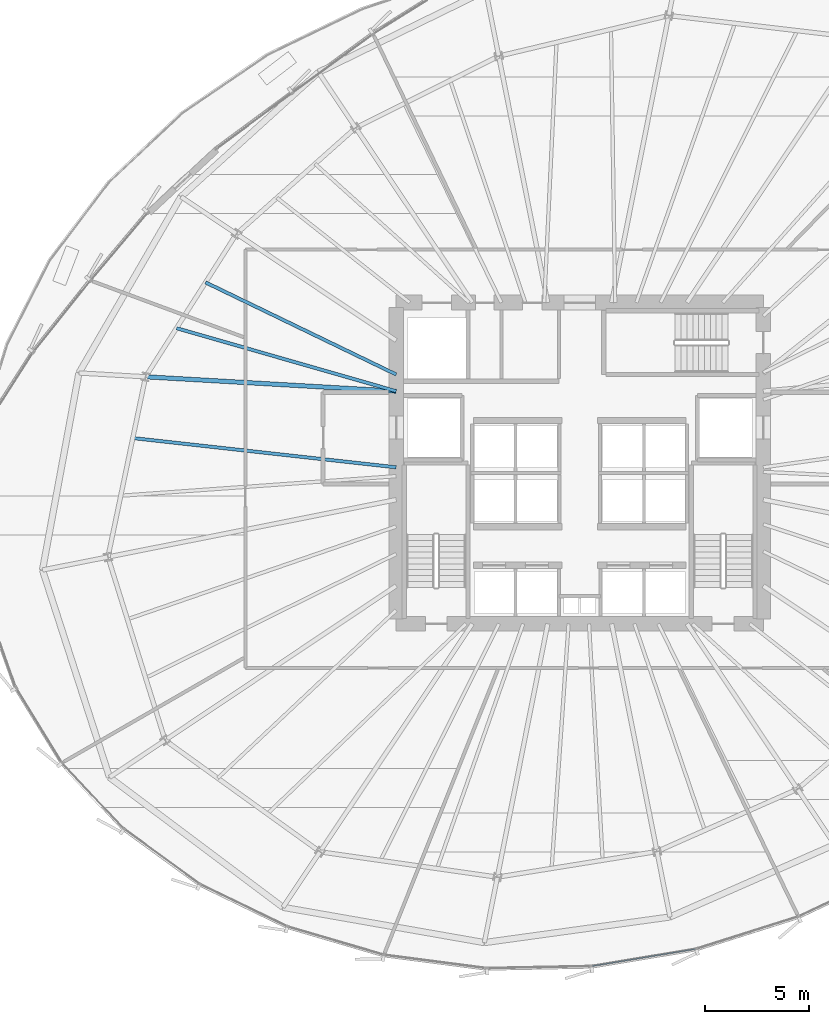
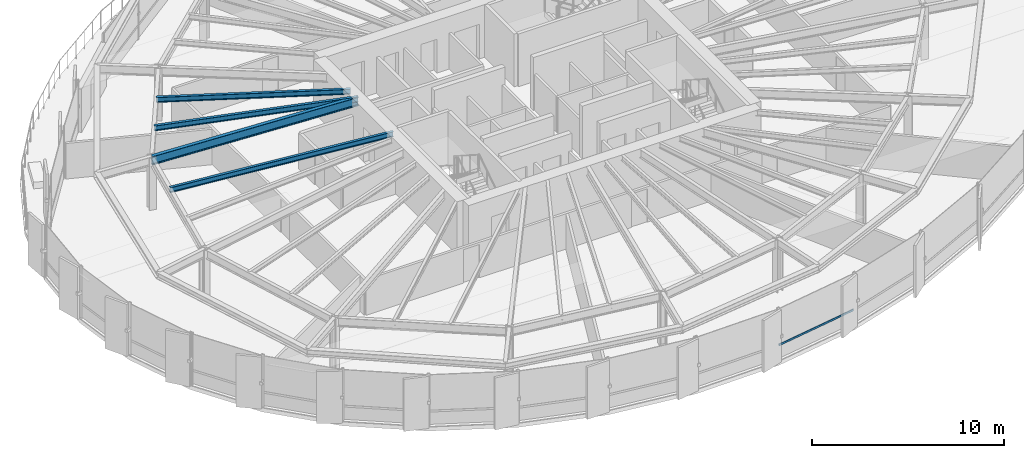
# One storey, part 11 of 35: 4 beams, 1 member, 1 element without a shape of its own.
"""IFC4 building model written with IfcOpenShell, lengths in metres."""

import ifcopenshell
import ifcopenshell.guid

model = None  # the IFC model being written
_history = None  # IfcOwnerHistory: only IFC2X3 demands one
_inside = {}  # id of a spatial element -> (the spatial element, [elements in it])
_under = {}  # id of a project, library or spatial element -> (it, [spatial elements below it])
_declared = {}  # id of a project -> (the project, [libraries it declares])
_typed = {}  # id of a type object -> (the type object, [elements of that type])
_made_of = {}  # id of a material, layer set ... -> (it, [elements and type objects made of it])


def new_model(schema):
    """Start an empty IFC model of exactly this schema.

    Asked for "IFC4X3", IfcOpenShell would pick the latest addendum, in which some entities
    have other attributes; the version numbers below select the first issue.
    IFC2X3 requires an IfcOwnerHistory on every rooted entity: one is made here for all.
    """
    global model, _history
    if schema == "IFC4X3":
        model = ifcopenshell.file(schema_version=(4, 3, 0, 0))
    else:
        model = ifcopenshell.file(schema=schema)
    _inside.clear()
    _under.clear()
    _declared.clear()
    _typed.clear()
    _made_of.clear()
    _history = None
    if model.schema == "IFC2X3":
        org = make("IfcOrganization", Name="unknown")
        user = make(
            "IfcPersonAndOrganization",
            ThePerson=make("IfcPerson", FamilyName="unknown"),
            TheOrganization=org,
        )
        app = make(
            "IfcApplication",
            ApplicationDeveloper=org,
            Version="unknown",
            ApplicationFullName="unknown",
            ApplicationIdentifier="unknown",
        )
        _history = make(
            "IfcOwnerHistory",
            OwningUser=user,
            OwningApplication=app,
            ChangeAction="ADDED",
            CreationDate=0,
        )
    return model


def make(cls, **values):
    """One entity of the class cls with the attributes given. An attribute that is None is left unset."""
    return model.create_entity(
        cls, **{name: value for name, value in values.items() if value is not None}
    )


def rooted(cls, **values):
    """An entity with a GlobalId (a new one), such as an element, a storey or a relation."""
    return make(cls, GlobalId=ifcopenshell.guid.new(), OwnerHistory=_history, **values)


def si_unit(unit_type, name, prefix=None):
    """IfcSIUnit, for example si_unit("LENGTHUNIT", "METRE", prefix="MILLI")."""
    return make("IfcSIUnit", UnitType=unit_type, Prefix=prefix, Name=name)


def assignment(units):
    """IfcUnitAssignment: the units of a project."""
    return None if units is None else make("IfcUnitAssignment", Units=units)


def point(xyz):
    """IfcCartesianPoint."""
    return None if xyz is None else make("IfcCartesianPoint", Coordinates=xyz)


def direction(xyz):
    """IfcDirection."""
    return None if xyz is None else make("IfcDirection", DirectionRatios=xyz)


def frame(location, z_axis=None, x_axis=None):
    """IfcAxis2Placement3D, a coordinate frame: its origin and axes. An axis left out is left unset."""
    return make(
        "IfcAxis2Placement3D",
        Location=point(location),
        Axis=direction(z_axis),
        RefDirection=direction(x_axis),
    )


def frame_2d(location, x_axis=None):
    """IfcAxis2Placement2D, a coordinate frame in the plane: its origin and x axis."""
    return make(
        "IfcAxis2Placement2D", Location=point(location), RefDirection=direction(x_axis)
    )


def origin():
    """The frame at (0, 0, 0) with its axes left unset."""
    return frame((0.0, 0.0, 0.0))


def origin_2d():
    """The frame at (0, 0) in the plane with its x axis left unset."""
    return frame_2d((0.0, 0.0))


def place(relative_to, where):
    """IfcLocalPlacement: puts the frame where relative to a parent placement (None: the world)."""
    return make(
        "IfcLocalPlacement", PlacementRelTo=relative_to, RelativePlacement=where
    )


def context(
    kind, dimensions, precision=None, world=None, true_north=None, identifier=None
):
    """IfcGeometricRepresentationContext, for example the 3D "Model" context."""
    return make(
        "IfcGeometricRepresentationContext",
        ContextIdentifier=identifier,
        ContextType=kind,
        CoordinateSpaceDimension=dimensions,
        Precision=precision,
        WorldCoordinateSystem=world,
        TrueNorth=true_north,
    )


def subcontext(parent, identifier, kind, view, scale=None):
    """IfcGeometricRepresentationSubContext, for example "Body" below "Model"."""
    return make(
        "IfcGeometricRepresentationSubContext",
        ContextIdentifier=identifier,
        ContextType=kind,
        ParentContext=parent,
        TargetScale=scale,
        TargetView=view,
    )


def project(units=None, contexts=None):
    """IfcProject with its units and contexts."""
    return rooted(
        "IfcProject",
        Name="project",
        RepresentationContexts=contexts,
        UnitsInContext=assignment(units),
    )


def spatial(cls, under=None, at=None, **own):
    """A site, building, storey or space (cls), placed at a placement, below another one or the project."""
    s = rooted(cls, ObjectPlacement=at, **own)
    if under is not None:
        _under.setdefault(under.id(), (under, []))[1].append(s)
    return s


def profile(cls, at=None, kind="AREA", **sizes):
    """A parametric profile (cls). Its sizes go by their IFC names, for example OverallWidth=200.0."""
    return make(cls, ProfileType=kind, Position=at, **sizes)


def hollow_rectangle(**sizes):
    """IfcRectangleHollowProfileDef."""
    return profile("IfcRectangleHollowProfileDef", **sizes)


def i_section(**sizes):
    """IfcIShapeProfileDef."""
    return profile("IfcIShapeProfileDef", **sizes)


def extrude(swept, where, along, depth):
    """IfcExtrudedAreaSolid: the profile swept, set in the frame where, extruded along a direction by depth."""
    return make(
        "IfcExtrudedAreaSolid",
        SweptArea=swept,
        Position=where,
        ExtrudedDirection=direction(along),
        Depth=depth,
    )


def shape(context_of_items, identifier, shape_type, items):
    """IfcShapeRepresentation: the items that make up one representation, for example the "Body"."""
    return make(
        "IfcShapeRepresentation",
        ContextOfItems=context_of_items,
        RepresentationIdentifier=identifier,
        RepresentationType=shape_type,
        Items=items,
    )


def source(mapping_origin, context_of_items, identifier, shape_type, items):
    """IfcRepresentationMap: a shape defined once, which mapped items show again and again."""
    return make(
        "IfcRepresentationMap",
        MappingOrigin=mapping_origin,
        MappedRepresentation=shape(context_of_items, identifier, shape_type, items),
    )


def transform(
    local_origin,
    x_axis=None,
    y_axis=None,
    z_axis=None,
    scale=None,
    scale2=None,
    scale3=None,
    uniform=True,
):
    """IfcCartesianTransformationOperator3D, or its non-uniform kind. x_axis, y_axis, z_axis: its Axis1, 2, 3."""
    if uniform:
        return make(
            "IfcCartesianTransformationOperator3D",
            Axis1=direction(x_axis),
            Axis2=direction(y_axis),
            LocalOrigin=point(local_origin),
            Scale=scale,
            Axis3=direction(z_axis),
        )
    return make(
        "IfcCartesianTransformationOperator3DnonUniform",
        Axis1=direction(x_axis),
        Axis2=direction(y_axis),
        LocalOrigin=point(local_origin),
        Scale=scale,
        Axis3=direction(z_axis),
        Scale2=scale2,
        Scale3=scale3,
    )


def mapped(mapping_source, mapping_target):
    """IfcMappedItem: shows the shape of a source again, moved by a transform."""
    return make(
        "IfcMappedItem", MappingSource=mapping_source, MappingTarget=mapping_target
    )


def material(Name=None, Category=None):
    """IfcMaterial."""
    return make("IfcMaterial", Name=Name, Category=Category)


def layer(
    of_material, thickness, ventilated=None, Name=None, Category=None, Priority=None
):
    """IfcMaterialLayer: one layer of a wall or slab, of a material (None: an air gap)."""
    return make(
        "IfcMaterialLayer",
        Material=of_material,
        LayerThickness=thickness,
        IsVentilated=ventilated,
        Name=Name,
        Category=Category,
        Priority=Priority,
    )


def layer_set(layers, Name=None):
    """IfcMaterialLayerSet."""
    return make("IfcMaterialLayerSet", MaterialLayers=layers, LayerSetName=Name)


def material_profile(
    of_material, cross_section, Name=None, Category=None, Priority=None
):
    """IfcMaterialProfile: a cross section and its material."""
    return make(
        "IfcMaterialProfile",
        Name=Name,
        Material=of_material,
        Profile=cross_section,
        Priority=Priority,
        Category=Category,
    )


def profile_set(profiles, Name=None, composite=None):
    """IfcMaterialProfileSet."""
    return make(
        "IfcMaterialProfileSet",
        Name=Name,
        MaterialProfiles=profiles,
        CompositeProfile=composite,
    )


def made_of(thing, what):
    """Note that an element or type object is made of a material, layer set ...; save() writes the relation."""
    if what is not None:
        _made_of.setdefault(what.id(), (what, []))[1].append(thing)
    return thing


def type_object(cls, material=None, **own):
    """A type object (cls), such as IfcWallType, which elements share."""
    return made_of(rooted(cls, **own), material)


def element(
    cls,
    number,
    at=None,
    inside=None,
    cuts=None,
    type_object=None,
    material=None,
    context=None,
    identifier="Body",
    shape_type=None,
    held_by="IfcProductDefinitionShape",
    body=None,
    shapes=None,
    **own,
):
    """One element of the class cls, such as IfcWall. Its Tag is "e" and its number.

    at: its placement. inside: the storey or other place that contains it. cuts: it is an
    opening in that element (IfcRelVoidsElement). A single representation is given by context,
    identifier, shape_type and body (its items); several are given by shapes. held_by: the class
    of the entity that holds the representations. save() writes the other relations.
    """
    e = rooted(cls, Tag="e%d" % number, ObjectPlacement=at, **own)
    if body is not None:
        shapes = [shape(context, identifier, shape_type, body)]
    if shapes is not None:
        e.Representation = make(held_by, Representations=shapes)
    if inside is not None:
        _inside.setdefault(inside.id(), (inside, []))[1].append(e)
    if cuts is not None:
        rooted(
            "IfcRelVoidsElement", RelatingBuildingElement=cuts, RelatedOpeningElement=e
        )
    if type_object is not None:
        _typed.setdefault(type_object.id(), (type_object, []))[1].append(e)
    return made_of(e, material)


def aggregate(whole, parts):
    """IfcRelAggregates: a whole, such as a stair, and the parts it consists of."""
    return rooted("IfcRelAggregates", RelatingObject=whole, RelatedObjects=parts)


def save(model, path):
    """Write the relations noted so far, then the file.

    IfcRelAggregates (storeys below a building ...), IfcRelContainedInSpatialStructure (elements
    in a storey), IfcRelDefinesByType, IfcRelAssociatesMaterial and IfcRelDeclares: one each for
    every whole, place, type object, material and project.
    """
    for whole, parts in _under.values():
        aggregate(whole, parts)
    for where, things in _inside.values():
        rooted(
            "IfcRelContainedInSpatialStructure",
            RelatedElements=things,
            RelatingStructure=where,
        )
    for kind, things in _typed.values():
        rooted("IfcRelDefinesByType", RelatedObjects=things, RelatingType=kind)
    for what, things in _made_of.values():
        rooted("IfcRelAssociatesMaterial", RelatedObjects=things, RelatingMaterial=what)
    for by, libraries in _declared.values():
        rooted("IfcRelDeclares", RelatingContext=by, RelatedDefinitions=libraries)
    model.write(path)


model = new_model("IFC4")

# Units and contexts
model_context = context("Model", 3, precision=1e-05, world=origin(), true_north=direction((0.0, 1.0)))
body_context = subcontext(model_context, "Body", "Model", "MODEL_VIEW")
ifc_project = project(units=[si_unit("LENGTHUNIT", "METRE"), si_unit("AREAUNIT", "SQUARE_METRE"), si_unit("VOLUMEUNIT", "CUBIC_METRE"), si_unit("PLANEANGLEUNIT", "RADIAN"), si_unit("MASSUNIT", "GRAM", prefix="KILO"), si_unit("THERMODYNAMICTEMPERATUREUNIT", "KELVIN")], contexts=[model_context])

# Site, building, storey
site_placement = place(None, origin())
site = spatial("IfcSite", under=ifc_project, at=site_placement, CompositionType="ELEMENT")
building_placement = place(site_placement, origin())
building = spatial("IfcBuilding", under=site, at=building_placement, Name="Kethvar Cultural Tower", CompositionType="ELEMENT")
storey_placement = place(building_placement, frame((0.0, 0.0, 89.199951171875)))
storey = spatial("IfcBuildingStorey", under=building, at=storey_placement, Name="L21", CompositionType="ELEMENT", Elevation=89.199951171875)

# Beams
ifc_material_1 = material(Name="Steel S355J2", Category="steel")
ifc_material_profile_1 = material_profile(ifc_material_1, i_section(OverallWidth=0.2099609375, OverallDepth=0.550048828125, WebThickness=0.010986328125, FlangeThickness=0.01708984375, FilletRadius=0.02392578125, at=origin_2d()), Name="Steel S355J2 — IPE550")
ifc_profile_set_1 = profile_set([ifc_material_profile_1], Name="Steel S355J2 — IPE550")
beam_type_1 = type_object("IfcBeamType", Name="BM-IPE550", PredefinedType="BEAM", material=ifc_profile_set_1)
shared_shape_1 = source(origin(), body_context, "Body", "SweptSolid", [
    extrude(i_section(OverallWidth=0.2099609375, OverallDepth=0.550048828125, WebThickness=0.010986328125, FlangeThickness=0.01708984375, FilletRadius=0.02392578125, at=origin_2d()), origin(), (0.0, 0.0, 1.0), 12.03125),
])
beam_1_placement = place(storey_placement, frame((38.0, 31.25, 3.072998046875), z_axis=(-0.998355544741, 0.057325441856, 0.0), x_axis=(-0.057325441856, -0.998355544741, 0.0)))
element("IfcBeam", 1, at=beam_1_placement, inside=storey, type_object=beam_type_1, Name="L21 Primary Radial Beam RB-08", PredefinedType="BEAM", context=body_context, shape_type="MappedRepresentation", body=[
    mapped(shared_shape_1, transform((0.0, 0.0, 0.0), scale=1.0)),
])
ifc_material_profile_2 = material_profile(ifc_material_1, i_section(OverallWidth=0.159912109375, OverallDepth=0.330078125, WebThickness=0.007568359375, FlangeThickness=0.011474609375, FilletRadius=0.01806640625, at=origin_2d()), Name="Steel S355J2 — IPE330")
ifc_profile_set_2 = profile_set([ifc_material_profile_2], Name="Steel S355J2 — IPE330")
beam_type_2 = type_object("IfcBeamType", Name="BM-J330", PredefinedType="JOIST", material=ifc_profile_set_2)
shared_shape_2 = source(origin(), body_context, "Body", "SweptSolid", [
    extrude(i_section(OverallWidth=0.159912109375, OverallDepth=0.330078125, WebThickness=0.007568359375, FlangeThickness=0.011474609375, FilletRadius=0.01806640625, at=origin_2d()), origin(), (0.0, 0.0, 1.0), 10.1455078125),
])
beam_2_placement = place(storey_placement, frame((38.0, 32.05078125, 3.18310546875), z_axis=(-0.90045122575, 0.434956997927, 0.0), x_axis=(-0.434956997927, -0.90045122575, 0.0)))
element("IfcBeam", 2, at=beam_2_placement, inside=storey, type_object=beam_type_2, Name="L21 Composite Floor Joist J-07A", PredefinedType="JOIST", context=body_context, shape_type="MappedRepresentation", body=[
    mapped(shared_shape_2, transform((0.0, 0.0, 0.0), scale=1.0)),
])
shared_shape_3 = source(origin(), body_context, "Body", "SweptSolid", [
    extrude(i_section(OverallWidth=0.159912109375, OverallDepth=0.330078125, WebThickness=0.007568359375, FlangeThickness=0.011474609375, FilletRadius=0.01806640625, at=origin_2d()), origin(), (0.0, 0.0, 1.0), 10.95458984375),
])
beam_3_placement = place(storey_placement, frame((38.0, 31.25, 3.18310546875), z_axis=(-0.96124170623, 0.275707058676, 0.0), x_axis=(-0.275707058676, -0.96124170623, 0.0)))
element("IfcBeam", 3, at=beam_3_placement, inside=storey, type_object=beam_type_2, Name="L21 Composite Floor Joist J-07B", PredefinedType="JOIST", context=body_context, shape_type="MappedRepresentation", body=[
    mapped(shared_shape_3, transform((0.0, 0.0, 0.0), scale=1.0)),
])
shared_shape_4 = source(origin(), body_context, "Body", "SweptSolid", [
    extrude(i_section(OverallWidth=0.159912109375, OverallDepth=0.330078125, WebThickness=0.007568359375, FlangeThickness=0.011474609375, FilletRadius=0.01806640625, at=origin_2d()), origin(), (0.0, 0.0, 1.0), 12.7021484375),
])
beam_4_placement = place(storey_placement, frame((38.0, 27.60009765625, 3.18310546875), z_axis=(-0.993884906591, 0.110420978309, 0.0), x_axis=(-0.110420978309, -0.993884906591, 0.0)))
element("IfcBeam", 4, at=beam_4_placement, inside=storey, type_object=beam_type_2, Name="L21 Composite Floor Joist J-08A", PredefinedType="JOIST", context=body_context, shape_type="MappedRepresentation", body=[
    mapped(shared_shape_4, transform((0.0, 0.0, 0.0), scale=1.0)),
])

# Curtain wall, member
ifc_material_2 = material(Name="Aluminium 6063-T6", Category="aluminium")
ifc_layer = layer(ifc_material_2, 0.179931640625, Name="Aluminium 6063-T6", Category="aluminium")
ifc_layer_set = layer_set([ifc_layer], Name="Aluminium 6063-T6 (180 mm)")
curtain_wall_type = type_object("IfcCurtainWallType", Name="CW-SYS-03-Z2", PredefinedType="NOTDEFINED", material=ifc_layer_set)
curtain_wall_placement = place(storey_placement, origin())
curtain_wall = element("IfcCurtainWall", 5, at=curtain_wall_placement, inside=storey, type_object=curtain_wall_type, Name="L21 Curtain Wall Run 05", PredefinedType="NOTDEFINED")
ifc_material_profile_3 = material_profile(ifc_material_2, hollow_rectangle(XDim=0.054931640625, YDim=0.1201171875, WallThickness=0.00390625, at=origin_2d()), Name="Aluminium 6063-T6 — RHS120x55x4")
ifc_profile_set_3 = profile_set([ifc_material_profile_3], Name="Aluminium 6063-T6 — RHS120x55x4")
member_type = type_object("IfcMemberType", Name="CW-SYS-03-Z2-TRN", PredefinedType="USERDEFINED", material=ifc_profile_set_3)
shared_shape_5 = source(origin(), body_context, "Body", "SweptSolid", [
    extrude(hollow_rectangle(XDim=0.054931640625, YDim=0.1201171875, WallThickness=0.00390625, at=origin_2d()), origin(), (0.0, 0.0, 1.0), 5.0234375),
])
member_placement = place(storey_placement, frame((47.3994140625, 3.690185546875, 0.949951171875), z_axis=(0.986577198117, 0.16329553624, 0.0), x_axis=(-0.16329553624, 0.986577198117, 0.0)))
member = element("IfcMember", 6, at=member_placement, type_object=member_type, Name="CW-L21-R05 Transom 2", ObjectType="TRANSOM", PredefinedType="USERDEFINED", context=body_context, shape_type="MappedRepresentation", body=[
    mapped(shared_shape_5, transform((0.0, 0.0, 0.0), scale=1.0)),
])
aggregate(curtain_wall, [member])

save(model, "model.ifc")
